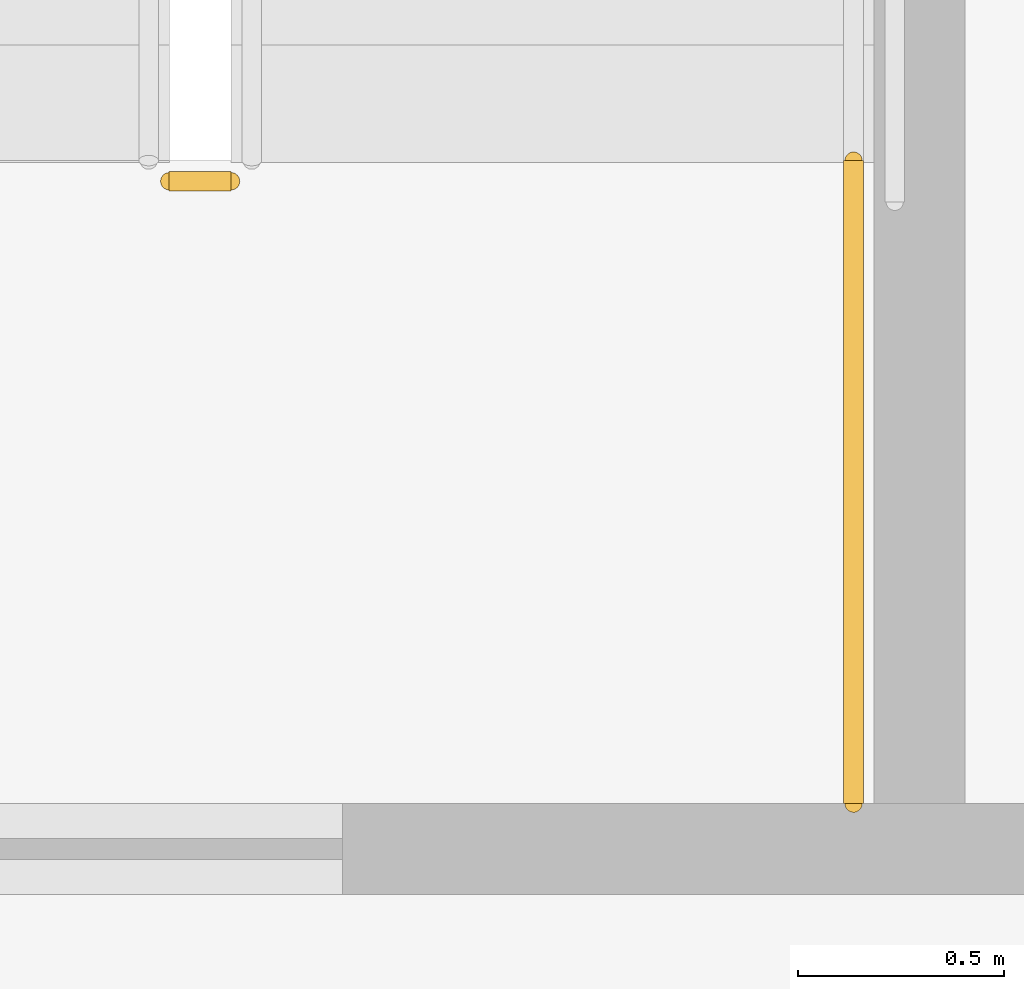
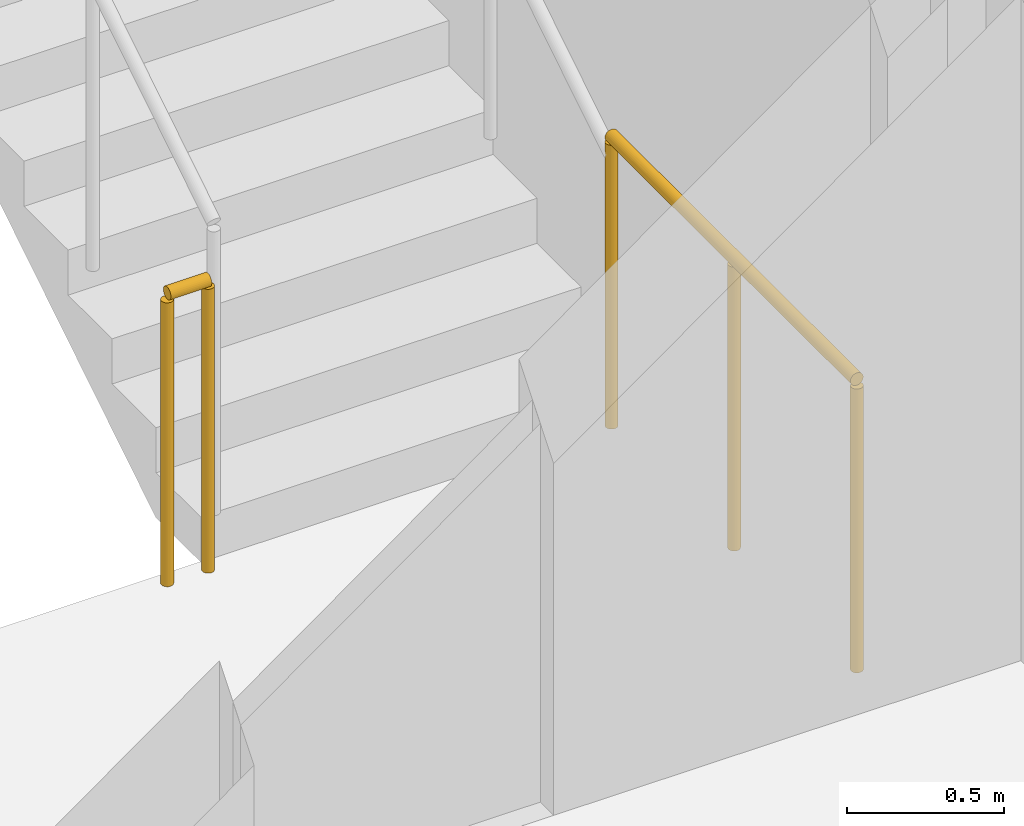
# One storey, part 13 of 16: 2 railings.
"""IFC4 building model written with IfcOpenShell, lengths in metres."""

from ifc_helpers import new_model, si_unit, direction, frame, origin, origin_2d, place, context, subcontext, project, spatial, circle, extrude, material, type_object, element, save


model = new_model("IFC4")

# Units and contexts
model_context = context("Model", 3, precision=1e-05, world=origin(), true_north=direction((0.0, 1.0)))
body_context = subcontext(model_context, "Body", "Model", "MODEL_VIEW")
ifc_project = project(units=[si_unit("LENGTHUNIT", "METRE"), si_unit("AREAUNIT", "SQUARE_METRE"), si_unit("VOLUMEUNIT", "CUBIC_METRE"), si_unit("PLANEANGLEUNIT", "RADIAN"), si_unit("MASSUNIT", "GRAM", prefix="KILO")], contexts=[model_context])

# Site, building, storey
site_placement = place(None, origin())
site = spatial("IfcSite", under=ifc_project, at=site_placement, CompositionType="ELEMENT")
building_placement = place(site_placement, origin())
building = spatial("IfcBuilding", under=site, at=building_placement, Name="Khairoan Windgate Tower", CompositionType="ELEMENT")
storey_placement = place(building_placement, frame((0.0, 0.0, 42.800048828125)))
storey = spatial("IfcBuildingStorey", under=building, at=storey_placement, Name="L10", CompositionType="ELEMENT", Elevation=42.800048828125)

# Railings
ifc_material = material(Name="Steel S355", Category="steel")
railing_type = type_object("IfcRailingType", Name="Stairwell Safety Guardrail SGR-1150", PredefinedType="GUARDRAIL", material=ifc_material)
railing_1_placement = place(storey_placement, frame((-17.7099609375, 2.909912109375, 0.0)))
element("IfcRailing", 1, at=railing_1_placement, inside=storey, type_object=railing_type, Name="L10 ST2 stair guard 7", PredefinedType="GUARDRAIL", context=body_context, shape_type="SweptSolid", body=[
    extrude(circle(Radius=0.02392578125, at=origin_2d()), frame((0.0, 0.0, 1.1259765625), z_axis=(-1.0, 0.0, 0.0), x_axis=(0.0, -1.0, 0.0)), (0.0, 0.0, 1.0), 0.150146484375),
    extrude(circle(Radius=0.02099609375, at=origin_2d()), origin(), (0.0, 0.0, 1.0), 1.101806640625),
    extrude(circle(Radius=0.02099609375, at=origin_2d()), frame((-0.150146484375, 0.0, 0.0)), (0.0, 0.0, 1.0), 1.101806640625),
])
railing_2_placement = place(storey_placement, frame((-16.199951171875, 1.39990234375, 0.0)))
element("IfcRailing", 2, at=railing_2_placement, inside=storey, type_object=railing_type, Name="L10 ST2 stair guard 8", PredefinedType="GUARDRAIL", context=body_context, shape_type="SweptSolid", body=[
    extrude(circle(Radius=0.02392578125, at=origin_2d()), frame((0.0, 0.0, 1.1259765625), z_axis=(0.0, 1.0, 0.0), x_axis=(-1.0, 0.0, 0.0)), (0.0, 0.0, 1.0), 1.56005859375),
    extrude(circle(Radius=0.02099609375, at=origin_2d()), origin(), (0.0, 0.0, 1.0), 1.101806640625),
    extrude(circle(Radius=0.02099609375, at=origin_2d()), frame((0.0, 0.780029296875, 0.0)), (0.0, 0.0, 1.0), 1.101806640625),
    extrude(circle(Radius=0.02099609375, at=origin_2d()), frame((0.0, 1.56005859375, 0.0)), (0.0, 0.0, 1.0), 1.101806640625),
])

save(model, "model.ifc")
